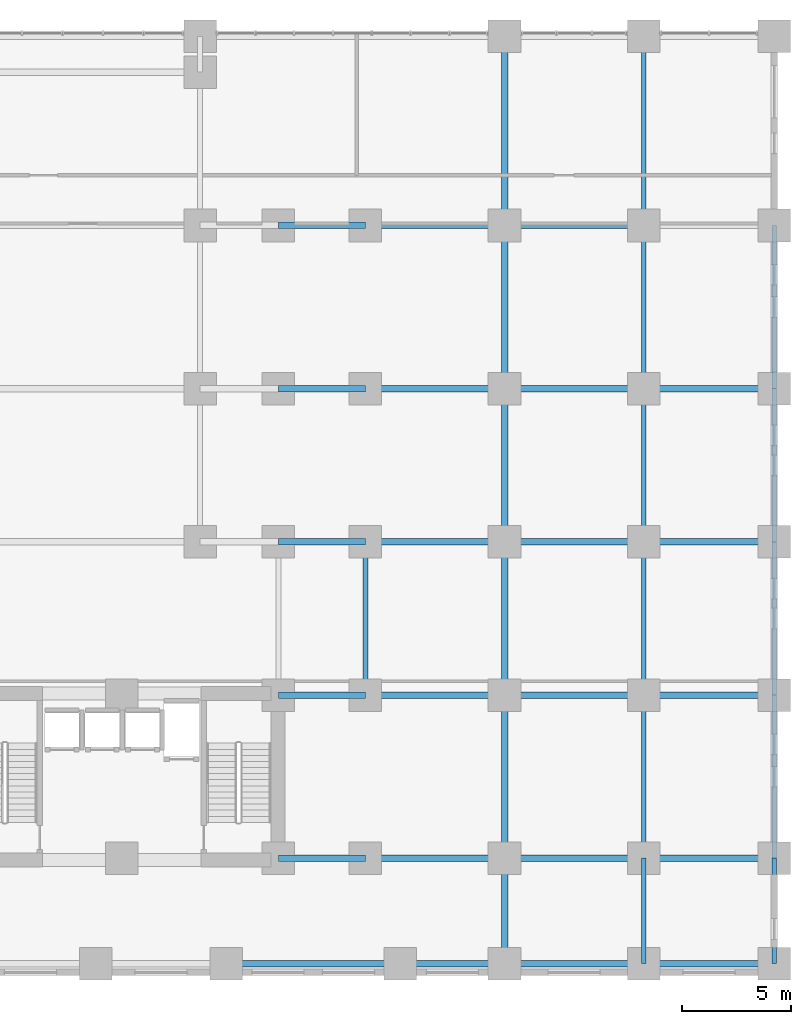
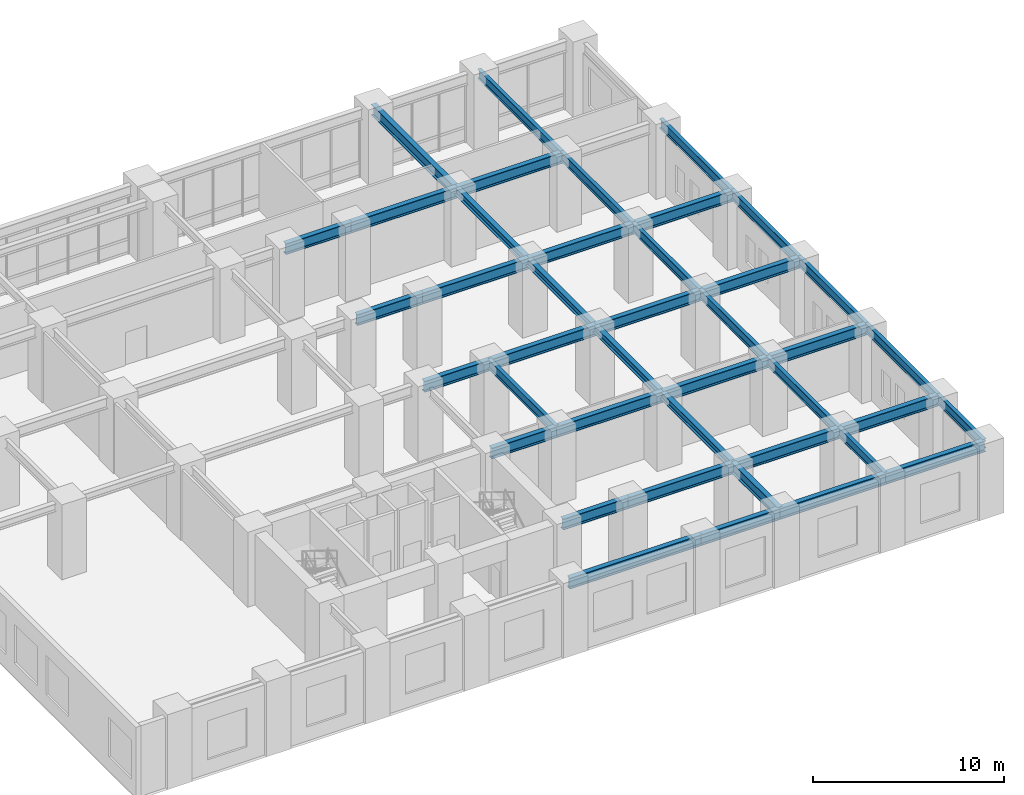
# One storey, part 10 of 22: 41 beams.
"""IFC4 building model written with IfcOpenShell, lengths in metres."""

from ifc_helpers import new_model, si_unit, direction, frame, origin, origin_2d, place, context, subcontext, project, spatial, i_section, extrude, source, transform, mapped, material, material_profile, profile_set, type_object, element, save


model = new_model("IFC4")

# Units and contexts
model_context = context("Model", 3, precision=1e-05, world=origin(), true_north=direction((0.0, 1.0)))
body_context = subcontext(model_context, "Body", "Model", "MODEL_VIEW")
ifc_project = project(units=[si_unit("LENGTHUNIT", "METRE"), si_unit("AREAUNIT", "SQUARE_METRE"), si_unit("VOLUMEUNIT", "CUBIC_METRE"), si_unit("PLANEANGLEUNIT", "RADIAN"), si_unit("MASSUNIT", "GRAM", prefix="KILO")], contexts=[model_context])

# Site, building, storey
site_placement = place(None, origin())
site = spatial("IfcSite", under=ifc_project, at=site_placement, CompositionType="ELEMENT")
building_placement = place(site_placement, origin())
building = spatial("IfcBuilding", under=site, at=building_placement, Name="Kaliganga Portal Commons", CompositionType="ELEMENT")
storey_placement = place(building_placement, frame((0.0, 0.0, 5.39990234375)))
storey = spatial("IfcBuildingStorey", under=building, at=storey_placement, Name="L01", CompositionType="ELEMENT", Elevation=5.39990234375)

# Beams
ifc_material = material(Name="Structural steel S355J2", Category="steel")
ifc_material_profile_1 = material_profile(ifc_material, i_section(OverallWidth=0.219970703125, OverallDepth=0.60009765625, WebThickness=0.011962890625, FlangeThickness=0.01904296875, FilletRadius=0.02392578125, at=origin_2d()), Name="IPE 600")
ifc_profile_set_1 = profile_set([ifc_material_profile_1], Name="Structural steel S355J2 wide-flange")
beam_type_1 = type_object("IfcBeamType", Name="BM-FLR-600", PredefinedType="BEAM", material=ifc_profile_set_1)
shared_shape_1 = source(origin(), body_context, "Body", "SweptSolid", [
    extrude(i_section(OverallWidth=0.219970703125, OverallDepth=0.60009765625, WebThickness=0.011962890625, FlangeThickness=0.01904296875, FilletRadius=0.02392578125, at=origin_2d()), origin(), (0.0, 0.0, 1.0), 7.5),
])
for number, where, z_axis, x_axis, name in (
    (1, (67.199951171875, 7.050048828125, 4.22021484375), (0.0, 1.0, 0.0), (-1.0, 0.0, 0.0), "BM PODE L01 X67 2"),
    (2, (67.199951171875, 28.64990234375, 4.22021484375), (0.0, 1.0, 0.0), (-1.0, 0.0, 0.0), "BM PODE L01 X67 5"),
    (3, (73.199951171875, 7.050048828125, 4.22021484375), (0.0, 1.0, 0.0), (-1.0, 0.0, 0.0), "BM PODE L01 X73 2"),
    (4, (73.199951171875, 28.64990234375, 4.22021484375), (0.0, 1.0, 0.0), (-1.0, 0.0, 0.0), "BM PODE L01 X73 5"),
):
    element("IfcBeam", number, at=place(storey_placement, frame(where, z_axis=z_axis, x_axis=x_axis)), inside=storey, type_object=beam_type_1, Name=name, PredefinedType="BEAM", context=body_context, shape_type="MappedRepresentation", body=[
        mapped(shared_shape_1, transform((0.0, 0.0, 0.0), x_axis=(1.0, 0.0, 0.0), y_axis=(0.0, 1.0, 0.0), z_axis=(0.0, 0.0, 1.0), scale=1.0)),
    ])
shared_shape_2 = source(origin(), body_context, "Body", "SweptSolid", [
    extrude(i_section(OverallWidth=0.219970703125, OverallDepth=0.60009765625, WebThickness=0.011962890625, FlangeThickness=0.01904296875, FilletRadius=0.02392578125, at=origin_2d()), origin(), (0.0, 0.0, 1.0), 7.050048828125),
])
for number, where, z_axis, x_axis, name in (
    (5, (54.39990234375, 14.550048828125, 4.22021484375), (0.0, 1.0, 0.0), (-1.0, 0.0, 0.0), "BM G L01 BNK544"),
    (6, (67.199951171875, 14.550048828125, 4.22021484375), (0.0, 1.0, 0.0), (-1.0, 0.0, 0.0), "BM PODE L01 X67 3"),
    (7, (73.199951171875, 14.550048828125, 4.22021484375), (0.0, 1.0, 0.0), (-1.0, 0.0, 0.0), "BM PODE L01 X73 3"),
):
    element("IfcBeam", number, at=place(storey_placement, frame(where, z_axis=z_axis, x_axis=x_axis)), inside=storey, type_object=beam_type_1, Name=name, PredefinedType="BEAM", context=body_context, shape_type="MappedRepresentation", body=[
        mapped(shared_shape_2, transform((0.0, 0.0, 0.0), x_axis=(1.0, 0.0, 0.0), y_axis=(0.0, 1.0, 0.0), z_axis=(0.0, 0.0, 1.0), scale=1.0)),
    ])
shared_shape_3 = source(origin(), body_context, "Body", "SweptSolid", [
    extrude(i_section(OverallWidth=0.219970703125, OverallDepth=0.60009765625, WebThickness=0.011962890625, FlangeThickness=0.01904296875, FilletRadius=0.02392578125, at=origin_2d()), origin(), (0.0, 0.0, 1.0), 7.0498046875),
])
for number, where, z_axis, x_axis, name in (
    (8, (67.199951171875, 21.60009765625, 4.22021484375), (0.0, 1.0, 0.0), (-1.0, 0.0, 0.0), "BM PODE L01 X67 4"),
    (9, (73.199951171875, 21.60009765625, 4.22021484375), (0.0, 1.0, 0.0), (-1.0, 0.0, 0.0), "BM PODE L01 X73 4"),
):
    element("IfcBeam", number, at=place(storey_placement, frame(where, z_axis=z_axis, x_axis=x_axis)), inside=storey, type_object=beam_type_1, Name=name, PredefinedType="BEAM", context=body_context, shape_type="MappedRepresentation", body=[
        mapped(shared_shape_3, transform((0.0, 0.0, 0.0), x_axis=(1.0, 0.0, 0.0), y_axis=(0.0, 1.0, 0.0), z_axis=(0.0, 0.0, 1.0), scale=1.0)),
    ])
ifc_material_profile_2 = material_profile(ifc_material, i_section(OverallWidth=0.300048828125, OverallDepth=0.699951171875, WebThickness=0.01708984375, FlangeThickness=0.031982421875, FilletRadius=0.027099609375, at=origin_2d()), Name="HE 700 B")
ifc_profile_set_2 = profile_set([ifc_material_profile_2], Name="Structural steel S355J2 wide-flange")
beam_type_2 = type_object("IfcBeamType", Name="BM-GIRD-700", PredefinedType="USERDEFINED", material=ifc_profile_set_2)
shared_shape_4 = source(origin(), body_context, "Body", "SweptSolid", [
    extrude(i_section(OverallWidth=0.300048828125, OverallDepth=0.699951171875, WebThickness=0.01708984375, FlangeThickness=0.031982421875, FilletRadius=0.027099609375, at=origin_2d()), origin(), (0.0, 0.0, 1.0), 4.0),
])
for number, where, z_axis, x_axis, name in (
    (10, (50.39990234375, 7.050048828125, 4.170166015625), (1.0, 0.0, 0.0), (0.0, 1.0, 0.0), "BM G L01 BKE70 1"),
    (11, (50.39990234375, 14.550048828125, 4.170166015625), (1.0, 0.0, 0.0), (0.0, 1.0, 0.0), "BM G L01 BKE146 1"),
    (12, (50.39990234375, 21.60009765625, 4.170166015625), (1.0, 0.0, 0.0), (0.0, 1.0, 0.0), "BM G L01 BKE216 2"),
    (13, (50.39990234375, 28.64990234375, 4.170166015625), (1.0, 0.0, 0.0), (0.0, 1.0, 0.0), "BM G L01 BKE286 2"),
    (14, (50.39990234375, 36.14990234375, 4.170166015625), (1.0, 0.0, 0.0), (0.0, 1.0, 0.0), "BM G L01 BKE362 2"),
):
    element("IfcBeam", number, at=place(storey_placement, frame(where, z_axis=z_axis, x_axis=x_axis)), inside=storey, type_object=beam_type_2, Name=name, ObjectType="GIRDER", PredefinedType="USERDEFINED", context=body_context, shape_type="MappedRepresentation", body=[
        mapped(shared_shape_4, transform((0.0, 0.0, 0.0), x_axis=(1.0, 0.0, 0.0), y_axis=(0.0, 1.0, 0.0), z_axis=(0.0, 0.0, 1.0), scale=1.0)),
    ])
shared_shape_5 = source(origin(), body_context, "Body", "SweptSolid", [
    extrude(i_section(OverallWidth=0.300048828125, OverallDepth=0.699951171875, WebThickness=0.01708984375, FlangeThickness=0.031982421875, FilletRadius=0.027099609375, at=origin_2d()), origin(), (0.0, 0.0, 1.0), 6.400146484375),
])
for number, where, z_axis, x_axis, name in (
    (15, (54.39990234375, 7.050048828125, 4.170166015625), (1.0, 0.0, 0.0), (0.0, 1.0, 0.0), "BM G L01 BKE70 2"),
    (16, (54.39990234375, 14.550048828125, 4.170166015625), (1.0, 0.0, 0.0), (0.0, 1.0, 0.0), "BM G L01 BKE146 2"),
    (17, (54.39990234375, 21.60009765625, 4.170166015625), (1.0, 0.0, 0.0), (0.0, 1.0, 0.0), "BM G L01 BKE216 3"),
    (18, (54.39990234375, 28.64990234375, 4.170166015625), (1.0, 0.0, 0.0), (0.0, 1.0, 0.0), "BM G L01 BKE286 3"),
    (19, (54.39990234375, 36.14990234375, 4.170166015625), (1.0, 0.0, 0.0), (0.0, 1.0, 0.0), "BM G L01 BKE362 3"),
):
    element("IfcBeam", number, at=place(storey_placement, frame(where, z_axis=z_axis, x_axis=x_axis)), inside=storey, type_object=beam_type_2, Name=name, ObjectType="GIRDER", PredefinedType="USERDEFINED", context=body_context, shape_type="MappedRepresentation", body=[
        mapped(shared_shape_5, transform((0.0, 0.0, 0.0), x_axis=(1.0, 0.0, 0.0), y_axis=(0.0, 1.0, 0.0), z_axis=(0.0, 0.0, 1.0), scale=1.0)),
    ])
shared_shape_6 = source(origin(), body_context, "Body", "SweptSolid", [
    extrude(i_section(OverallWidth=0.300048828125, OverallDepth=0.699951171875, WebThickness=0.01708984375, FlangeThickness=0.031982421875, FilletRadius=0.027099609375, at=origin_2d()), origin(), (0.0, 0.0, 1.0), 8.7001953125),
])
beam_1_placement = place(storey_placement, frame((60.800048828125, 36.14990234375, 4.170166015625), z_axis=(0.0, 1.0, 0.0), x_axis=(-1.0, 0.0, 0.0)))
element("IfcBeam", 20, at=beam_1_placement, inside=storey, type_object=beam_type_2, Name="BM PODP L01 E60 6", ObjectType="GIRDER", PredefinedType="USERDEFINED", context=body_context, shape_type="MappedRepresentation", body=[
    mapped(shared_shape_6, transform((0.0, 0.0, 0.0), x_axis=(1.0, 0.0, 0.0), y_axis=(0.0, 1.0, 0.0), z_axis=(0.0, 0.0, 1.0), scale=1.0)),
])
shared_shape_7 = source(origin(), body_context, "Body", "SweptSolid", [
    extrude(i_section(OverallWidth=0.300048828125, OverallDepth=0.699951171875, WebThickness=0.01708984375, FlangeThickness=0.031982421875, FilletRadius=0.027099609375, at=origin_2d()), origin(), (0.0, 0.0, 1.0), 4.85009765625),
])
beam_2_placement = place(storey_placement, frame((60.800048828125, 2.199951171875, 4.170166015625), z_axis=(0.0, 1.0, 0.0), x_axis=(-1.0, 0.0, 0.0)))
element("IfcBeam", 21, at=beam_2_placement, inside=storey, type_object=beam_type_2, Name="BM PODP L01 E60 1", ObjectType="GIRDER", PredefinedType="USERDEFINED", context=body_context, shape_type="MappedRepresentation", body=[
    mapped(shared_shape_7, transform((0.0, 0.0, 0.0), x_axis=(1.0, 0.0, 0.0), y_axis=(0.0, 1.0, 0.0), z_axis=(0.0, 0.0, 1.0), scale=1.0)),
])
shared_shape_8 = source(origin(), body_context, "Body", "SweptSolid", [
    extrude(i_section(OverallWidth=0.300048828125, OverallDepth=0.699951171875, WebThickness=0.01708984375, FlangeThickness=0.031982421875, FilletRadius=0.027099609375, at=origin_2d()), origin(), (0.0, 0.0, 1.0), 6.0),
])
for number, where, z_axis, x_axis, name in (
    (22, (67.199951171875, 2.199951171875, 4.170166015625), (1.0, 0.0, 0.0), (0.0, 1.0, 0.0), "BM PODE L01 Y2 2"),
    (23, (67.199951171875, 7.050048828125, 4.170166015625), (1.0, 0.0, 0.0), (0.0, 1.0, 0.0), "BM PODE L01 Y7 2"),
    (24, (67.199951171875, 14.550048828125, 4.170166015625), (1.0, 0.0, 0.0), (0.0, 1.0, 0.0), "BM PODE L01 Y14 2"),
    (25, (67.199951171875, 21.60009765625, 4.170166015625), (1.0, 0.0, 0.0), (0.0, 1.0, 0.0), "BM PODE L01 Y21 2"),
    (26, (67.199951171875, 28.64990234375, 4.170166015625), (1.0, 0.0, 0.0), (0.0, 1.0, 0.0), "BM PODE L01 Y28 2"),
):
    element("IfcBeam", number, at=place(storey_placement, frame(where, z_axis=z_axis, x_axis=x_axis)), inside=storey, type_object=beam_type_2, Name=name, ObjectType="GIRDER", PredefinedType="USERDEFINED", context=body_context, shape_type="MappedRepresentation", body=[
        mapped(shared_shape_8, transform((0.0, 0.0, 0.0), x_axis=(1.0, 0.0, 0.0), y_axis=(0.0, 1.0, 0.0), z_axis=(0.0, 0.0, 1.0), scale=1.0)),
    ])
shared_shape_9 = source(origin(), body_context, "Body", "SweptSolid", [
    extrude(i_section(OverallWidth=0.300048828125, OverallDepth=0.699951171875, WebThickness=0.01708984375, FlangeThickness=0.031982421875, FilletRadius=0.027099609375, at=origin_2d()), origin(), (0.0, 0.0, 1.0), 8.0),
])
beam_3_placement = place(storey_placement, frame((48.0, 2.199951171875, 4.170166015625), z_axis=(1.0, 0.0, 0.0), x_axis=(0.0, 1.0, 0.0)))
element("IfcBeam", 27, at=beam_3_placement, inside=storey, type_object=beam_type_2, Name="BM PODP L01 S02 5", ObjectType="GIRDER", PredefinedType="USERDEFINED", context=body_context, shape_type="MappedRepresentation", body=[
    mapped(shared_shape_9, transform((0.0, 0.0, 0.0), x_axis=(1.0, 0.0, 0.0), y_axis=(0.0, 1.0, 0.0), z_axis=(0.0, 0.0, 1.0), scale=1.0)),
])
shared_shape_10 = source(origin(), body_context, "Body", "SweptSolid", [
    extrude(i_section(OverallWidth=0.300048828125, OverallDepth=0.699951171875, WebThickness=0.01708984375, FlangeThickness=0.031982421875, FilletRadius=0.027099609375, at=origin_2d()), origin(), (0.0, 0.0, 1.0), 4.800048828125),
])
beam_4_placement = place(storey_placement, frame((56.0, 2.199951171875, 4.170166015625), z_axis=(1.0, 0.0, 0.0), x_axis=(0.0, 1.0, 0.0)))
element("IfcBeam", 28, at=beam_4_placement, inside=storey, type_object=beam_type_2, Name="BM PODP L01 S02 6", ObjectType="GIRDER", PredefinedType="USERDEFINED", context=body_context, shape_type="MappedRepresentation", body=[
    mapped(shared_shape_10, transform((0.0, 0.0, 0.0), x_axis=(1.0, 0.0, 0.0), y_axis=(0.0, 1.0, 0.0), z_axis=(0.0, 0.0, 1.0), scale=1.0)),
])
shared_shape_11 = source(origin(), body_context, "Body", "SweptSolid", [
    extrude(i_section(OverallWidth=0.219970703125, OverallDepth=0.60009765625, WebThickness=0.011962890625, FlangeThickness=0.01904296875, FilletRadius=0.02392578125, at=origin_2d()), origin(), (0.0, 0.0, 1.0), 4.85009765625),
])
for number, where, z_axis, x_axis, name in (
    (29, (67.199951171875, 2.199951171875, 4.22021484375), (0.0, 1.0, 0.0), (-1.0, 0.0, 0.0), "BM PODE L01 X67 1"),
    (30, (73.199951171875, 2.199951171875, 4.22021484375), (0.0, 1.0, 0.0), (-1.0, 0.0, 0.0), "BM PODE L01 X73 1"),
):
    element("IfcBeam", number, at=place(storey_placement, frame(where, z_axis=z_axis, x_axis=x_axis)), inside=storey, type_object=beam_type_1, Name=name, PredefinedType="BEAM", context=body_context, shape_type="MappedRepresentation", body=[
        mapped(shared_shape_11, transform((0.0, 0.0, 0.0), x_axis=(1.0, 0.0, 0.0), y_axis=(0.0, 1.0, 0.0), z_axis=(0.0, 0.0, 1.0), scale=1.0)),
    ])
shared_shape_12 = source(origin(), body_context, "Body", "SweptSolid", [
    extrude(i_section(OverallWidth=0.300048828125, OverallDepth=0.699951171875, WebThickness=0.01708984375, FlangeThickness=0.031982421875, FilletRadius=0.027099609375, at=origin_2d()), origin(), (0.0, 0.0, 1.0), 6.39990234375),
])
for number, where, z_axis, x_axis, name in (
    (31, (60.800048828125, 2.199951171875, 4.170166015625), (1.0, 0.0, 0.0), (0.0, 1.0, 0.0), "BM PODE L01 Y2 1"),
    (32, (60.800048828125, 7.050048828125, 4.170166015625), (1.0, 0.0, 0.0), (0.0, 1.0, 0.0), "BM PODE L01 Y7 1"),
    (33, (60.800048828125, 14.550048828125, 4.170166015625), (1.0, 0.0, 0.0), (0.0, 1.0, 0.0), "BM PODE L01 Y14 1"),
    (34, (60.800048828125, 21.60009765625, 4.170166015625), (1.0, 0.0, 0.0), (0.0, 1.0, 0.0), "BM PODE L01 Y21 1"),
    (35, (60.800048828125, 28.64990234375, 4.170166015625), (1.0, 0.0, 0.0), (0.0, 1.0, 0.0), "BM PODE L01 Y28 1"),
    (36, (60.800048828125, 36.14990234375, 4.170166015625), (1.0, 0.0, 0.0), (0.0, 1.0, 0.0), "BM PODE L01 Y36 1"),
):
    element("IfcBeam", number, at=place(storey_placement, frame(where, z_axis=z_axis, x_axis=x_axis)), inside=storey, type_object=beam_type_2, Name=name, ObjectType="GIRDER", PredefinedType="USERDEFINED", context=body_context, shape_type="MappedRepresentation", body=[
        mapped(shared_shape_12, transform((0.0, 0.0, 0.0), x_axis=(1.0, 0.0, 0.0), y_axis=(0.0, 1.0, 0.0), z_axis=(0.0, 0.0, 1.0), scale=1.0)),
    ])
shared_shape_13 = source(origin(), body_context, "Body", "SweptSolid", [
    extrude(i_section(OverallWidth=0.219970703125, OverallDepth=0.60009765625, WebThickness=0.011962890625, FlangeThickness=0.01904296875, FilletRadius=0.02392578125, at=origin_2d()), origin(), (0.0, 0.0, 1.0), 8.7001953125),
])
beam_5_placement = place(storey_placement, frame((67.199951171875, 36.14990234375, 4.22021484375), z_axis=(0.0, 1.0, 0.0), x_axis=(-1.0, 0.0, 0.0)))
element("IfcBeam", 37, at=beam_5_placement, inside=storey, type_object=beam_type_1, Name="BM PODE L01 X67 6", PredefinedType="BEAM", context=body_context, shape_type="MappedRepresentation", body=[
    mapped(shared_shape_13, transform((0.0, 0.0, 0.0), x_axis=(1.0, 0.0, 0.0), y_axis=(0.0, 1.0, 0.0), z_axis=(0.0, 0.0, 1.0), scale=1.0)),
])
ifc_material_profile_3 = material_profile(ifc_material, i_section(OverallWidth=0.300048828125, OverallDepth=0.5, WebThickness=0.014404296875, FlangeThickness=0.028076171875, FilletRadius=0.027099609375, at=origin_2d()), Name="HE 500 B")
ifc_profile_set_3 = profile_set([ifc_material_profile_3], Name="Structural steel S355J2 wide-flange")
beam_type_3 = type_object("IfcBeamType", Name="BM-SPAND-500", PredefinedType="SPANDREL", material=ifc_profile_set_3)
shared_shape_14 = source(origin(), body_context, "Body", "SweptSolid", [
    extrude(i_section(OverallWidth=0.300048828125, OverallDepth=0.5, WebThickness=0.014404296875, FlangeThickness=0.028076171875, FilletRadius=0.027099609375, at=origin_2d()), origin(), (0.0, 0.0, 1.0), 7.5),
])
for number, where, z_axis, x_axis, name in (
    (38, (60.800048828125, 7.050048828125, 4.27001953125), (0.0, 1.0, 0.0), (-1.0, 0.0, 0.0), "BM SP L01 BE 1"),
    (39, (60.800048828125, 28.64990234375, 4.27001953125), (0.0, 1.0, 0.0), (-1.0, 0.0, 0.0), "BM SP L01 BE 4"),
):
    element("IfcBeam", number, at=place(storey_placement, frame(where, z_axis=z_axis, x_axis=x_axis)), inside=storey, type_object=beam_type_3, Name=name, PredefinedType="SPANDREL", context=body_context, shape_type="MappedRepresentation", body=[
        mapped(shared_shape_14, transform((0.0, 0.0, 0.0), x_axis=(1.0, 0.0, 0.0), y_axis=(0.0, 1.0, 0.0), z_axis=(0.0, 0.0, 1.0), scale=1.0)),
    ])
shared_shape_15 = source(origin(), body_context, "Body", "SweptSolid", [
    extrude(i_section(OverallWidth=0.300048828125, OverallDepth=0.5, WebThickness=0.014404296875, FlangeThickness=0.028076171875, FilletRadius=0.027099609375, at=origin_2d()), origin(), (0.0, 0.0, 1.0), 7.050048828125),
])
beam_6_placement = place(storey_placement, frame((60.800048828125, 14.550048828125, 4.27001953125), z_axis=(0.0, 1.0, 0.0), x_axis=(-1.0, 0.0, 0.0)))
element("IfcBeam", 40, at=beam_6_placement, inside=storey, type_object=beam_type_3, Name="BM SP L01 BE 2", PredefinedType="SPANDREL", context=body_context, shape_type="MappedRepresentation", body=[
    mapped(shared_shape_15, transform((0.0, 0.0, 0.0), x_axis=(1.0, 0.0, 0.0), y_axis=(0.0, 1.0, 0.0), z_axis=(0.0, 0.0, 1.0), scale=1.0)),
])
shared_shape_16 = source(origin(), body_context, "Body", "SweptSolid", [
    extrude(i_section(OverallWidth=0.300048828125, OverallDepth=0.5, WebThickness=0.014404296875, FlangeThickness=0.028076171875, FilletRadius=0.027099609375, at=origin_2d()), origin(), (0.0, 0.0, 1.0), 7.0498046875),
])
beam_7_placement = place(storey_placement, frame((60.800048828125, 21.60009765625, 4.27001953125), z_axis=(0.0, 1.0, 0.0), x_axis=(-1.0, 0.0, 0.0)))
element("IfcBeam", 41, at=beam_7_placement, inside=storey, type_object=beam_type_3, Name="BM SP L01 BE 3", PredefinedType="SPANDREL", context=body_context, shape_type="MappedRepresentation", body=[
    mapped(shared_shape_16, transform((0.0, 0.0, 0.0), x_axis=(1.0, 0.0, 0.0), y_axis=(0.0, 1.0, 0.0), z_axis=(0.0, 0.0, 1.0), scale=1.0)),
])

save(model, "model.ifc")
